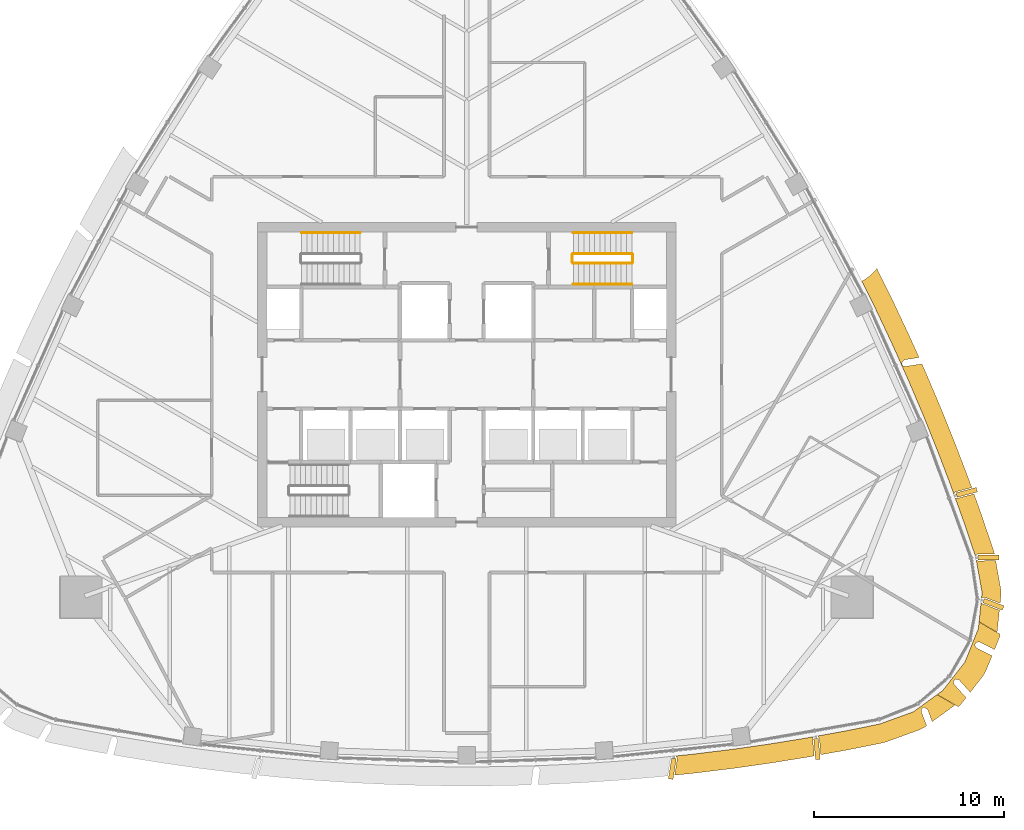
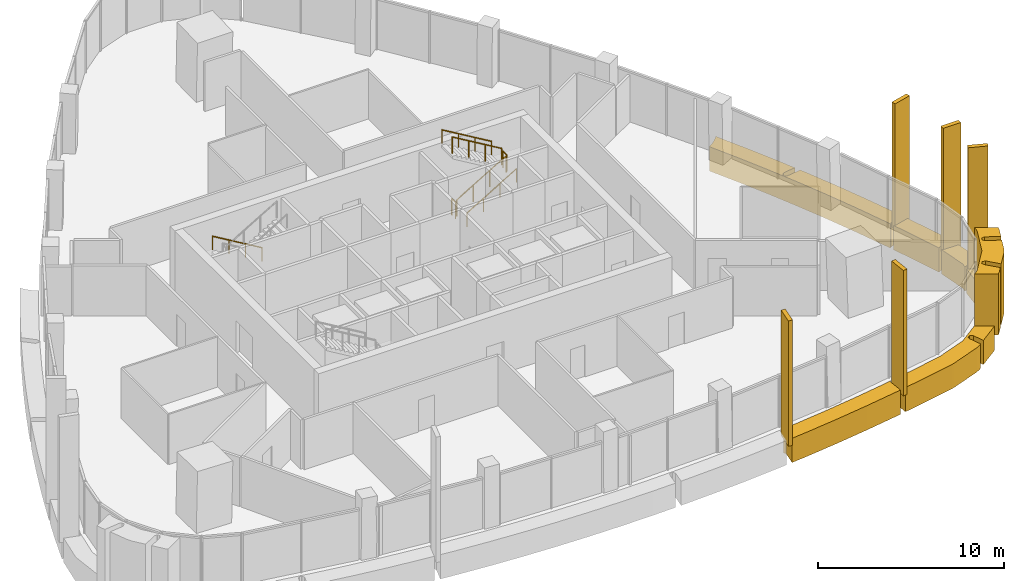
# One storey, part 15 of 16: 12 coverings, 7 railings.
"""IFC4 building model written with IfcOpenShell, lengths in metres."""

from ifc_helpers import new_model, si_unit, direction, frame, origin, origin_2d, place, context, subcontext, project, spatial, polyline, rectangle, circle, outline, extrude, material, layer, layer_set, material_profile, profile_set, type_object, element, save


model = new_model("IFC4")

# Units and contexts
model_context = context("Model", 3, precision=1e-05, world=origin(), true_north=direction((0.0, 1.0)))
body_context = subcontext(model_context, "Body", "Model", "MODEL_VIEW")
ifc_project = project(units=[si_unit("LENGTHUNIT", "METRE"), si_unit("AREAUNIT", "SQUARE_METRE"), si_unit("VOLUMEUNIT", "CUBIC_METRE"), si_unit("PLANEANGLEUNIT", "RADIAN"), si_unit("MASSUNIT", "GRAM", prefix="KILO")], contexts=[model_context])

# Site, building, storey
site_placement = place(None, origin())
site = spatial("IfcSite", under=ifc_project, at=site_placement, CompositionType="ELEMENT")
building_placement = place(site_placement, origin())
building = spatial("IfcBuilding", under=site, at=building_placement, Name="Sierra Prisma Convention Tower", CompositionType="ELEMENT")
storey_placement = place(building_placement, frame((0.0, 0.0, 303.0)))
storey = spatial("IfcBuildingStorey", under=building, at=storey_placement, Name="L69", CompositionType="ELEMENT", Elevation=303.0)

# Coverings
ifc_material_1 = material(Name="Aluminium composite bronze anodised", Category="aluminium")
ifc_layer_1 = layer(ifc_material_1, 1.199951171875)
ifc_layer_set_1 = layer_set([ifc_layer_1], Name="Bronze corner pier")
covering_type_1 = type_object("IfcCoveringType", Name="Bronze corner pier", PredefinedType="CLADDING", material=ifc_layer_set_1)
covering_1_placement = place(storey_placement, frame((0.0, 0.0, -0.60009765625)))
element("IfcCovering", 1, at=covering_1_placement, inside=storey, type_object=covering_type_1, Name="Corner pier SE L69.1", PredefinedType="CLADDING", context=body_context, shape_type="SweptSolid", body=[
    extrude(outline(polyline([(26.757080078125, -14.08740234375), (26.753662109375, -14.090576171875), (26.75048828125, -14.09423828125), (26.747802734375, -14.09814453125), (26.745361328125, -14.102294921875), (26.743408203125, -14.106689453125), (26.705810546875, -14.19921875), (26.704345703125, -14.203857421875), (26.703125, -14.20849609375), (26.702392578125, -14.21337890625), (26.702392578125, -14.21826171875), (26.702392578125, -14.22314453125), (26.703125, -14.227783203125), (26.704345703125, -14.232666015625), (26.7060546875, -14.2373046875), (26.708251953125, -14.24169921875), (26.710693359375, -14.245849609375), (26.783935546875, -14.355712890625), (26.787109375, -14.35986328125), (26.79052734375, -14.363525390625), (26.794189453125, -14.366943359375), (26.79833984375, -14.3701171875), (26.802978515625, -14.37255859375), (27.6064453125, -14.781494140625), (27.291015625, -15.56298828125), (27.123291015625, -15.853271484375), (26.462158203125, -16.698974609375), (25.883056640625, -16.055419921875), (25.8798828125, -16.052001953125), (25.876220703125, -16.049072265625), (25.87255859375, -16.04638671875), (25.868408203125, -16.044189453125), (25.8642578125, -16.042236328125), (25.85986328125, -16.040771484375), (25.855224609375, -16.039794921875), (25.698486328125, -16.010009765625), (25.693603515625, -16.00927734375), (25.688720703125, -16.009033203125), (25.683837890625, -16.009521484375), (25.6787109375, -16.01025390625), (25.674072265625, -16.011474609375), (25.66943359375, -16.01318359375), (25.664794921875, -16.015380859375), (25.66064453125, -16.01806640625), (25.65673828125, -16.02099609375), (25.6533203125, -16.024658203125), (25.64990234375, -16.0283203125), (25.58837890625, -16.107177734375), (25.585205078125, -16.111328125), (25.582763671875, -16.11572265625), (25.580810546875, -16.12060546875), (25.5791015625, -16.12548828125), (25.578125, -16.130615234375), (25.57763671875, -16.1357421875), (25.577880859375, -16.140869140625), (25.578369140625, -16.14599609375), (25.57958984375, -16.151123046875), (25.61181640625, -16.269287109375), (25.61328125, -16.273681640625), (25.614990234375, -16.27783203125), (25.617431640625, -16.281982421875), (25.6201171875, -16.285888671875), (25.622802734375, -16.28955078125), (26.2431640625, -16.97900390625), (25.953857421875, -17.3486328125), (25.839599609375, -17.458984375), (24.724853515625, -16.815185546875), (25.0087890625, -16.609619140625), (26.17822265625, -15.114013671875), (26.888671875, -13.353515625), (26.9248046875, -13.004638671875), (28.039794921875, -13.6484375), (28.00146484375, -13.802490234375), (27.73779296875, -14.45556640625), (26.961669921875, -14.060546875), (26.95703125, -14.05859375), (26.9521484375, -14.056884765625), (26.947265625, -14.055908203125), (26.9423828125, -14.055419921875), (26.937255859375, -14.05517578125), (26.932373046875, -14.0556640625), (26.782958984375, -14.07568359375), (26.7783203125, -14.07666015625), (26.773681640625, -14.077880859375), (26.769287109375, -14.07958984375), (26.764892578125, -14.081787109375), (26.760986328125, -14.08447265625), (26.757080078125, -14.08740234375)])), origin(), (0.0, 0.0, 1.0), 4.0),
])
ifc_material_2 = material(Name="Aluminium 6063-T6 bronze anodised", Category="aluminium")
ifc_material_profile = material_profile(ifc_material_2, rectangle(XDim=1.10009765625, YDim=0.25, at=origin_2d()), Name="ALU FIN 1100x250")
ifc_profile_set = profile_set([ifc_material_profile], Name="Aluminium 6063-T6 bronze anodised")
covering_type_2 = type_object("IfcCoveringType", Name="Bronze facade fin", PredefinedType="CLADDING", material=ifc_profile_set)
for number, where, z_axis, x_axis, name in (
    (2, (10.8046875, -20.7158203125, -0.300048828125), (0.0, 0.0, 1.0), (-0.157707630027, -0.987485849737, 0.0), "Fin L69.14"),
    (3, (18.405517578125, -19.677978515625, -0.300048828125), (0.0, 0.0, 1.0), (0.091259222588, -0.995827170895, 0.0), "Fin L69.17"),
    (4, (27.676513671875, -12.071044921875, -0.300048828125), (0.0, 0.0, 1.0), (0.934041646763, -0.357164110895, 0.0), "Fin L69.22"),
    (5, (27.42529296875, -9.608154296875, -0.300048828125), (0.0, 0.0, 1.0), (0.999997691734, 0.0021486102, 0.0), "Fin L69.23"),
    (6, (26.27685546875, -6.19091796875, -0.300048828125), (0.0, 0.0, 1.0), (0.966983936457, 0.254837333672, 0.0), "Fin L69.24"),
):
    element("IfcCovering", number, at=place(storey_placement, frame(where, z_axis=z_axis, x_axis=x_axis)), inside=storey, type_object=covering_type_2, Name=name, ObjectType="FIN", PredefinedType="CLADDING", context=body_context, shape_type="SweptSolid", body=[
        extrude(rectangle(XDim=1.10009765625, YDim=0.25, at=origin_2d()), origin(), (0.0, 0.0, 1.0), 8.25),
    ])
ifc_material_3 = material(Name="Aluminium composite bronze anodised", Category="aluminium")
ifc_layer_2 = layer(ifc_material_3, 1.0)
ifc_layer_set_2 = layer_set([ifc_layer_2], Name="Bronze spandrel band")
covering_type_3 = type_object("IfcCoveringType", Name="Bronze spandrel band", PredefinedType="CLADDING", material=ifc_layer_set_2)
covering_2_placement = place(storey_placement, frame((0.0, 0.0, -1.60009765625)))
element("IfcCovering", 7, at=covering_2_placement, inside=storey, type_object=covering_type_3, Name="Spandrel band L69.2", PredefinedType="CLADDING", context=body_context, shape_type="SweptSolid", body=[
    extrude(outline(polyline([(21.577392578125, 5.52880859375), (21.585693359375, 5.511962890625), (22.46337890625, 3.73095703125), (22.471435546875, 3.714111328125), (23.315185546875, 1.916748046875), (23.3232421875, 1.899658203125), (23.771728515625, 0.8955078125), (23.0185546875, 0.778564453125), (23.013671875, 0.777587890625), (23.0087890625, 0.776123046875), (23.00439453125, 0.774169921875), (23.0, 0.771728515625), (22.995849609375, 0.768798828125), (22.9921875, 0.765625), (22.988525390625, 0.76220703125), (22.877685546875, 0.635986328125), (22.875, 0.632080078125), (22.872314453125, 0.628173828125), (22.8701171875, 0.6240234375), (22.868408203125, 0.61962890625), (22.866943359375, 0.614990234375), (22.865966796875, 0.610595703125), (22.865478515625, 0.605712890625), (22.865478515625, 0.60107421875), (22.865966796875, 0.596435546875), (22.86669921875, 0.591796875), (22.867919921875, 0.587158203125), (22.86962890625, 0.582763671875), (22.91015625, 0.4912109375), (22.912353515625, 0.48681640625), (22.914794921875, 0.482666015625), (22.91796875, 0.478759765625), (22.92138671875, 0.47509765625), (22.92529296875, 0.471923828125), (22.92919921875, 0.468994140625), (22.93359375, 0.466796875), (22.93798828125, 0.464599609375), (22.94287109375, 0.463134765625), (23.051513671875, 0.433837890625), (23.056640625, 0.432861328125), (23.061767578125, 0.43212890625), (23.067138671875, 0.43212890625), (23.072265625, 0.4326171875), (23.919677734375, 0.564208984375), (24.133056640625, 0.0869140625), (24.140625, 0.069580078125), (24.916259765625, -1.75830078125), (24.923583984375, -1.775634765625), (25.664794921875, -3.61767578125), (25.67138671875, -3.635009765625), (26.3779296875, -5.49072265625), (26.384521484375, -5.50830078125), (26.539794921875, -5.9404296875), (25.700439453125, -6.16162109375), (25.695556640625, -6.163330078125), (25.69091796875, -6.165283203125), (25.6865234375, -6.167724609375), (25.682373046875, -6.170654296875), (25.6787109375, -6.173828125), (25.675048828125, -6.177490234375), (25.595703125, -6.270263671875), (25.443359375, -5.846435546875), (24.737060546875, -3.990966796875), (23.995849609375, -2.14892578125), (23.22021484375, -0.321044921875), (22.41015625, 1.49169921875), (21.56640625, 3.2890625), (20.767822265625, 4.909423828125), (20.966552734375, 5.028076171875), (21.166015625, 5.17578125), (21.35009765625, 5.34228515625), (21.516845703125, 5.5263671875), (21.55322265625, 5.575439453125), (21.577392578125, 5.52880859375)])), origin(), (0.0, 0.0, 1.0), 1.60009765625),
])
covering_3_placement = place(storey_placement, frame((0.0, 0.0, -1.60009765625)))
element("IfcCovering", 8, at=covering_3_placement, inside=storey, type_object=covering_type_3, Name="Spandrel band L69.6", PredefinedType="CLADDING", context=body_context, shape_type="SweptSolid", body=[
    extrude(outline(polyline([(26.8701171875, -9.4345703125), (26.865478515625, -9.43505859375), (26.861083984375, -9.436279296875), (26.856689453125, -9.437744140625), (26.852294921875, -9.439697265625), (26.848388671875, -9.44189453125), (26.844482421875, -9.444580078125), (26.7294921875, -9.532470703125), (26.11474609375, -7.715087890625), (25.66943359375, -6.4755859375), (25.76416015625, -6.500244140625), (25.769287109375, -6.501220703125), (25.7744140625, -6.501708984375), (25.779296875, -6.501708984375), (25.784423828125, -6.501220703125), (25.78955078125, -6.500244140625), (26.658447265625, -6.271240234375), (27.055908203125, -7.376953125), (27.06201171875, -7.394775390625), (27.6982421875, -9.275634765625), (27.7353515625, -9.420166015625), (27.737548828125, -9.432373046875), (26.874755859375, -9.43408203125), (26.8701171875, -9.4345703125)])), origin(), (0.0, 0.0, 1.0), 1.60009765625),
])
covering_4_placement = place(storey_placement, frame((0.0, 0.0, -1.60009765625)))
element("IfcCovering", 9, at=covering_4_placement, inside=storey, type_object=covering_type_3, Name="Spandrel band L69.7", PredefinedType="CLADDING", context=body_context, shape_type="SweptSolid", body=[
    extrude(outline(polyline([(27.205810546875, -11.7080078125), (27.20068359375, -11.70849609375), (27.19580078125, -11.709228515625), (27.191162109375, -11.710693359375), (27.05419921875, -11.7578125), (27.084716796875, -11.465087890625), (26.77685546875, -9.740966796875), (26.85302734375, -9.779052734375), (26.857421875, -9.781005859375), (26.86181640625, -9.7822265625), (26.8662109375, -9.783447265625), (26.870849609375, -9.783935546875), (26.87548828125, -9.7841796875), (27.800048828125, -9.7822265625), (28.069091796875, -11.289306640625), (28.079345703125, -11.568115234375), (28.032470703125, -12.02001953125), (27.22509765625, -11.711181640625), (27.220458984375, -11.709716796875), (27.215576171875, -11.708740234375), (27.210693359375, -11.7080078125), (27.205810546875, -11.7080078125)])), origin(), (0.0, 0.0, 1.0), 1.60009765625),
])
covering_5_placement = place(storey_placement, frame((0.0, 0.0, -1.60009765625)))
element("IfcCovering", 10, at=covering_5_placement, inside=storey, type_object=covering_type_3, Name="Spandrel band L69.8", PredefinedType="CLADDING", context=body_context, shape_type="SweptSolid", body=[
    extrude(outline(polyline([(24.218505859375, -17.59912109375), (24.2158203125, -17.594970703125), (24.213134765625, -17.5908203125), (24.209716796875, -17.587158203125), (24.206298828125, -17.583740234375), (24.202392578125, -17.58056640625), (24.197998046875, -17.577880859375), (24.051513671875, -17.49609375), (24.047119140625, -17.493896484375), (24.042724609375, -17.4921875), (24.0380859375, -17.490966796875), (24.033447265625, -17.490234375), (24.02880859375, -17.48974609375), (24.024169921875, -17.48974609375), (24.019287109375, -17.490234375), (24.0146484375, -17.4912109375), (24.01025390625, -17.49267578125), (24.005859375, -17.494384765625), (24.001708984375, -17.49658203125), (23.997802734375, -17.499267578125), (23.916748046875, -17.557861328125), (23.912841796875, -17.56103515625), (23.9091796875, -17.564453125), (23.906005859375, -17.568359375), (23.9033203125, -17.572509765625), (23.90087890625, -17.57666015625), (23.89892578125, -17.581298828125), (23.897705078125, -17.5859375), (23.896484375, -17.5908203125), (23.89599609375, -17.595703125), (23.89013671875, -17.708251953125), (23.89013671875, -17.71337890625), (23.890869140625, -17.71875), (23.891845703125, -17.723876953125), (23.893310546875, -17.728759765625), (24.169921875, -18.4521484375), (24.05810546875, -18.533203125), (23.811279296875, -18.663818359375), (22.02587890625, -19.309326171875), (21.882080078125, -19.349609375), (19.93505859375, -19.739013671875), (19.91650390625, -19.74267578125), (18.608642578125, -19.978759765625), (18.529541015625, -19.1142578125), (18.52880859375, -19.109375), (18.527587890625, -19.1044921875), (18.52587890625, -19.099609375), (18.523681640625, -19.09521484375), (18.52099609375, -19.0908203125), (18.51806640625, -19.0869140625), (18.439697265625, -18.9931640625), (19.739013671875, -18.758544921875), (21.685791015625, -18.368896484375), (23.47119140625, -17.723388671875), (24.7158203125, -16.821533203125), (25.65380859375, -17.363037109375), (25.595458984375, -17.419189453125), (24.46337890625, -18.239501953125), (24.220458984375, -17.603759765625), (24.218505859375, -17.59912109375)])), origin(), (0.0, 0.0, 1.0), 1.60009765625),
])
covering_6_placement = place(storey_placement, frame((0.0, 0.0, -1.60009765625)))
element("IfcCovering", 11, at=covering_6_placement, inside=storey, type_object=covering_type_3, Name="Spandrel band L69.9", PredefinedType="CLADDING", context=body_context, shape_type="SweptSolid", body=[
    extrude(outline(polyline([(27.0908203125, -12.033447265625), (27.095458984375, -12.0361328125), (27.10009765625, -12.0380859375), (27.9951171875, -12.38037109375), (27.88330078125, -13.45654296875), (27.86376953125, -13.53515625), (26.92578125, -12.993896484375), (27.031494140625, -11.97607421875), (27.082763671875, -12.02685546875), (27.086669921875, -12.030517578125), (27.0908203125, -12.033447265625)])), origin(), (0.0, 0.0, 1.0), 1.60009765625),
])
covering_7_placement = place(storey_placement, frame((0.0, 0.0, -1.60009765625)))
element("IfcCovering", 12, at=covering_7_placement, inside=storey, type_object=covering_type_3, Name="Spandrel band L69.10", PredefinedType="CLADDING", context=body_context, shape_type="SweptSolid", body=[
    extrude(outline(polyline([(11.064208984375, -20.2001953125), (11.064697265625, -20.1953125), (11.064697265625, -20.1904296875), (11.064208984375, -20.185302734375), (11.0634765625, -20.1806640625), (11.06201171875, -20.17578125), (11.06005859375, -20.171142578125), (11.0576171875, -20.166748046875), (10.9833984375, -20.04248046875), (11.88818359375, -19.948486328125), (13.85888671875, -19.70654296875), (15.82470703125, -19.427490234375), (17.784912109375, -19.111328125), (18.22509765625, -19.031982421875), (18.18505859375, -19.121337890625), (18.183349609375, -19.126220703125), (18.181884765625, -19.131103515625), (18.18115234375, -19.135986328125), (18.180908203125, -19.14111328125), (18.180908203125, -19.146240234375), (18.262939453125, -20.041259765625), (17.962646484375, -20.095458984375), (17.944091796875, -20.0986328125), (15.98388671875, -20.41455078125), (15.96533203125, -20.41748046875), (13.99951171875, -20.696533203125), (13.980712890625, -20.698974609375), (12.010009765625, -20.941162109375), (11.991455078125, -20.943359375), (10.927978515625, -21.0537109375), (11.064208984375, -20.2001953125)])), origin(), (0.0, 0.0, 1.0), 1.60009765625),
])

# Railings
ifc_material_4 = material(Name="Stainless steel", Category="steel")
railing_type_1 = type_object("IfcRailingType", Name="Exit stair handrail", PredefinedType="HANDRAIL", material=ifc_material_4)
railing_1_placement = place(storey_placement, frame((-5.60009765625, 7.449951171875, 0.166748046875)))
element("IfcRailing", 13, at=railing_1_placement, inside=storey, type_object=railing_type_1, Name="L69 S3 stair handrail 1", PredefinedType="HANDRAIL", context=body_context, shape_type="SweptSolid", body=[
    extrude(circle(Radius=0.02392578125, at=origin_2d()), frame((0.0, 0.0, 0.8759765625), z_axis=(-0.859290745958, 0.0, 0.51148745235), x_axis=(0.0, -1.0, 0.0)), (0.0, 0.0, 1.0), 3.584228515625),
    extrude(circle(Radius=0.02099609375, at=origin_2d()), origin(), (0.0, 0.0, 1.0), 0.851806640625),
    extrude(circle(Radius=0.02099609375, at=origin_2d()), frame((-1.026611328125, 0.0, 0.611083984375)), (0.0, 0.0, 1.0), 0.851806640625),
    extrude(circle(Radius=0.02099609375, at=origin_2d()), frame((-2.05322265625, 0.0, 1.22216796875)), (0.0, 0.0, 1.0), 0.851806640625),
    extrude(circle(Radius=0.02099609375, at=origin_2d()), frame((-3.079833984375, 0.0, 1.833251953125)), (0.0, 0.0, 1.0), 0.851806640625),
])
railing_2_placement = place(storey_placement, frame((5.60009765625, 4.75, 0.166748046875)))
element("IfcRailing", 14, at=railing_2_placement, inside=storey, type_object=railing_type_1, Name="L69 S4 stair handrail 1", PredefinedType="HANDRAIL", context=body_context, shape_type="SweptSolid", body=[
    extrude(circle(Radius=0.02392578125, at=origin_2d()), frame((0.0, 0.0, 0.8759765625), z_axis=(0.859290745958, 0.0, 0.51148745235), x_axis=(0.0, 1.0, 0.0)), (0.0, 0.0, 1.0), 3.584228515625),
    extrude(circle(Radius=0.02099609375, at=origin_2d()), origin(), (0.0, 0.0, 1.0), 0.851806640625),
    extrude(circle(Radius=0.02099609375, at=origin_2d()), frame((1.026611328125, 0.0, 0.611083984375)), (0.0, 0.0, 1.0), 0.851806640625),
    extrude(circle(Radius=0.02099609375, at=origin_2d()), frame((2.05322265625, 0.0, 1.22216796875)), (0.0, 0.0, 1.0), 0.851806640625),
    extrude(circle(Radius=0.02099609375, at=origin_2d()), frame((3.079833984375, 0.0, 1.833251953125)), (0.0, 0.0, 1.0), 0.851806640625),
])
railing_3_placement = place(storey_placement, frame((8.679931640625, 7.449951171875, 2.166748046875)))
element("IfcRailing", 15, at=railing_3_placement, inside=storey, type_object=railing_type_1, Name="L69 S4 stair handrail 2", PredefinedType="HANDRAIL", context=body_context, shape_type="SweptSolid", body=[
    extrude(circle(Radius=0.02392578125, at=origin_2d()), frame((0.0, 0.0, 0.8759765625), z_axis=(-0.859290745958, 0.0, 0.51148745235), x_axis=(0.0, -1.0, 0.0)), (0.0, 0.0, 1.0), 3.584228515625),
    extrude(circle(Radius=0.02099609375, at=origin_2d()), origin(), (0.0, 0.0, 1.0), 0.851806640625),
    extrude(circle(Radius=0.02099609375, at=origin_2d()), frame((-1.026611328125, 0.0, 0.611083984375)), (0.0, 0.0, 1.0), 0.851806640625),
    extrude(circle(Radius=0.02099609375, at=origin_2d()), frame((-2.05322265625, 0.0, 1.22216796875)), (0.0, 0.0, 1.0), 0.851806640625),
    extrude(circle(Radius=0.02099609375, at=origin_2d()), frame((-3.079833984375, 0.0, 1.833251953125)), (0.0, 0.0, 1.0), 0.851806640625),
])
ifc_material_5 = material(Name="Stainless steel", Category="steel")
railing_type_2 = type_object("IfcRailingType", Name="Stair guard 1100", PredefinedType="GUARDRAIL", material=ifc_material_5)
railing_4_placement = place(storey_placement, frame((5.60009765625, 5.85009765625, 0.166748046875)))
element("IfcRailing", 16, at=railing_4_placement, inside=storey, type_object=railing_type_2, Name="L69 S4 stair guard 1", PredefinedType="GUARDRAIL", context=body_context, shape_type="SweptSolid", body=[
    extrude(circle(Radius=0.02392578125, at=origin_2d()), frame((0.0, 0.0, 1.076171875), z_axis=(0.859290745958, 0.0, 0.51148745235), x_axis=(0.0, 1.0, 0.0)), (0.0, 0.0, 1.0), 3.584228515625),
    extrude(circle(Radius=0.02099609375, at=origin_2d()), origin(), (0.0, 0.0, 1.0), 1.052001953125),
    extrude(circle(Radius=0.02099609375, at=origin_2d()), frame((1.026611328125, 0.0, 0.611083984375)), (0.0, 0.0, 1.0), 1.052001953125),
    extrude(circle(Radius=0.02099609375, at=origin_2d()), frame((2.05322265625, 0.0, 1.22216796875)), (0.0, 0.0, 1.0), 1.052001953125),
    extrude(circle(Radius=0.02099609375, at=origin_2d()), frame((3.079833984375, 0.0, 1.833251953125)), (0.0, 0.0, 1.0), 1.052001953125),
])
railing_5_placement = place(storey_placement, frame((8.72998046875, 5.89990234375, 2.0)))
element("IfcRailing", 17, at=railing_5_placement, inside=storey, type_object=railing_type_2, Name="L69 S4 stair guard 2", PredefinedType="GUARDRAIL", context=body_context, shape_type="SweptSolid", body=[
    extrude(circle(Radius=0.02392578125, at=origin_2d()), frame((0.0, 0.0, 1.076171875), z_axis=(0.0, 1.0, 0.0), x_axis=(-1.0, 0.0, 0.0)), (0.0, 0.0, 1.0), 0.400146484375),
    extrude(circle(Radius=0.02099609375, at=origin_2d()), origin(), (0.0, 0.0, 1.0), 1.052001953125),
    extrude(circle(Radius=0.02099609375, at=origin_2d()), frame((0.0, 0.400146484375, 0.0)), (0.0, 0.0, 1.0), 1.052001953125),
])
railing_6_placement = place(storey_placement, frame((8.679931640625, 6.35009765625, 2.166748046875)))
element("IfcRailing", 18, at=railing_6_placement, inside=storey, type_object=railing_type_2, Name="L69 S4 stair guard 3", PredefinedType="GUARDRAIL", context=body_context, shape_type="SweptSolid", body=[
    extrude(circle(Radius=0.02392578125, at=origin_2d()), frame((0.0, 0.0, 1.076171875), z_axis=(-0.859290745958, 0.0, 0.51148745235), x_axis=(0.0, -1.0, 0.0)), (0.0, 0.0, 1.0), 3.584228515625),
    extrude(circle(Radius=0.02099609375, at=origin_2d()), origin(), (0.0, 0.0, 1.0), 1.052001953125),
    extrude(circle(Radius=0.02099609375, at=origin_2d()), frame((-1.026611328125, 0.0, 0.611083984375)), (0.0, 0.0, 1.0), 1.052001953125),
    extrude(circle(Radius=0.02099609375, at=origin_2d()), frame((-2.05322265625, 0.0, 1.22216796875)), (0.0, 0.0, 1.0), 1.052001953125),
    extrude(circle(Radius=0.02099609375, at=origin_2d()), frame((-3.079833984375, 0.0, 1.833251953125)), (0.0, 0.0, 1.0), 1.052001953125),
])
railing_7_placement = place(storey_placement, frame((5.550048828125, 5.89990234375, 0.0)))
element("IfcRailing", 19, at=railing_7_placement, inside=storey, type_object=railing_type_2, Name="L69 S4 stair guard 4", PredefinedType="GUARDRAIL", context=body_context, shape_type="SweptSolid", body=[
    extrude(circle(Radius=0.02392578125, at=origin_2d()), frame((0.0, 0.0, 1.076171875), z_axis=(0.0, 1.0, 0.0), x_axis=(-1.0, 0.0, 0.0)), (0.0, 0.0, 1.0), 0.400146484375),
    extrude(circle(Radius=0.02099609375, at=origin_2d()), origin(), (0.0, 0.0, 1.0), 1.052001953125),
    extrude(circle(Radius=0.02099609375, at=origin_2d()), frame((0.0, 0.400146484375, 0.0)), (0.0, 0.0, 1.0), 1.052001953125),
])

save(model, "model.ifc")
